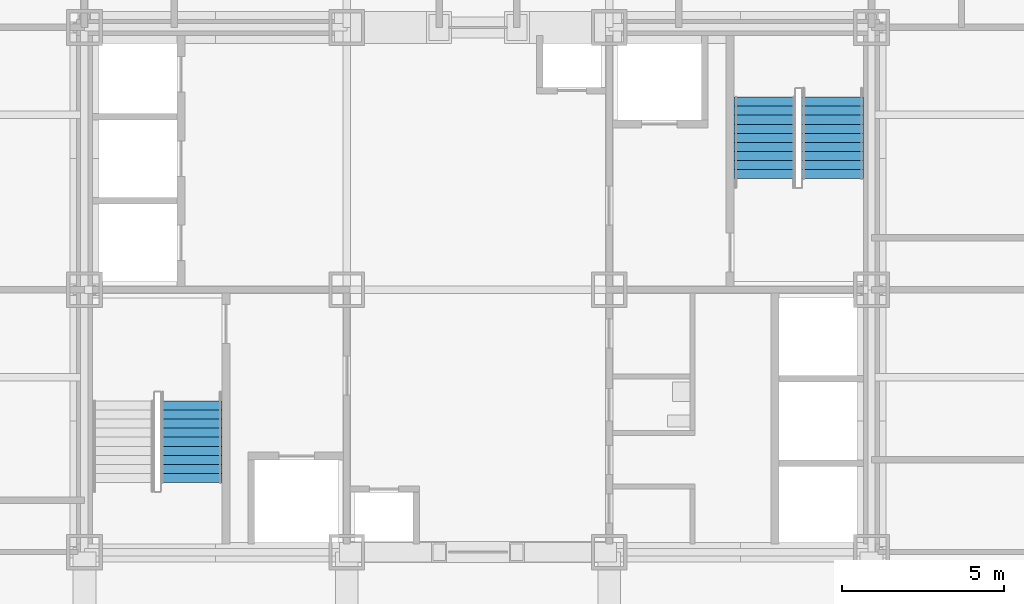
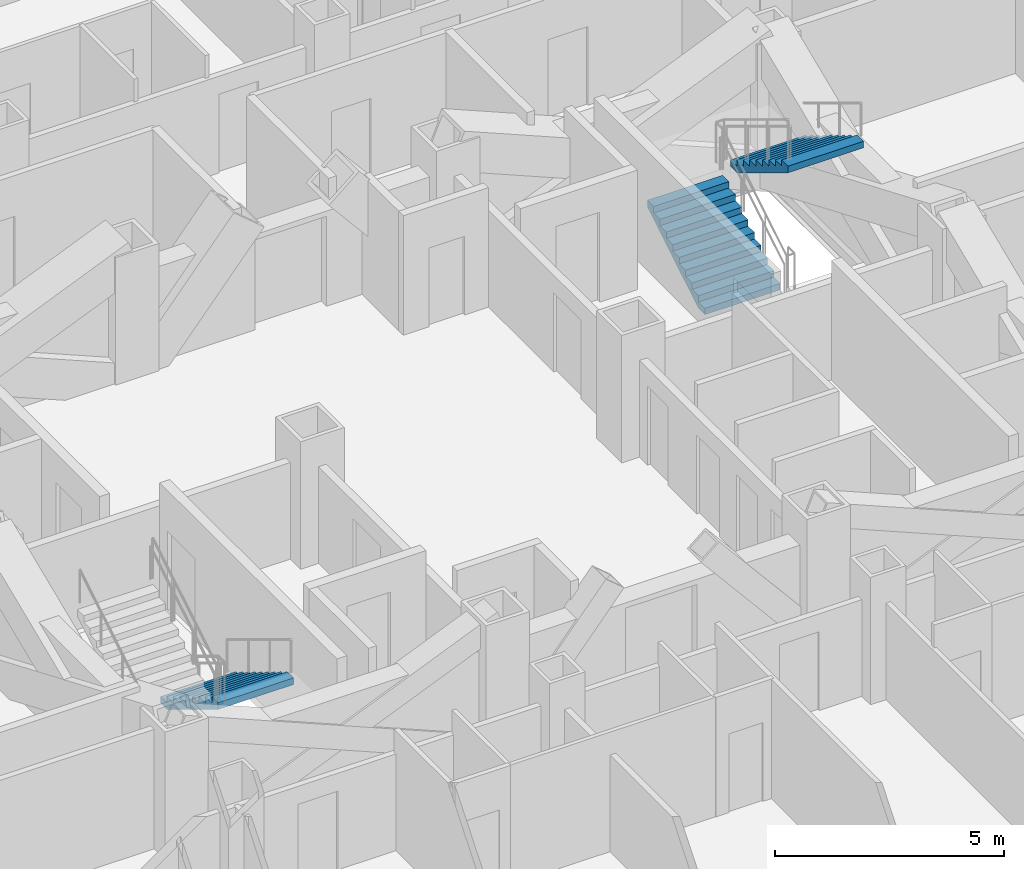
# One storey, part 12 of 14: 3 stair flights, 2 elements without a shape of their own.
"""IFC4 building model written with IfcOpenShell, lengths in metres."""

from ifc_helpers import new_model, si_unit, direction, frame, origin, place, context, subcontext, project, spatial, polygons, source, transform, mapped, material, type_object, element, aggregate, save


model = new_model("IFC4")

# Units and contexts
model_context = context("Model", 3, precision=1e-05, world=origin(), true_north=direction((0.0, 1.0)))
body_context = subcontext(model_context, "Body", "Model", "MODEL_VIEW")
ifc_project = project(units=[si_unit("LENGTHUNIT", "METRE"), si_unit("AREAUNIT", "SQUARE_METRE"), si_unit("VOLUMEUNIT", "CUBIC_METRE"), si_unit("PLANEANGLEUNIT", "RADIAN"), si_unit("MASSUNIT", "GRAM", prefix="KILO")], contexts=[model_context])

# Site, building, storey
site_placement = place(None, origin())
site = spatial("IfcSite", under=ifc_project, at=site_placement, CompositionType="ELEMENT")
building_placement = place(site_placement, origin())
building = spatial("IfcBuilding", under=site, at=building_placement, Name="Kopane Lantern Tower", CompositionType="ELEMENT")
storey_placement = place(building_placement, frame((0.0, 0.0, 127.199951171875)))
storey = spatial("IfcBuildingStorey", under=building, at=storey_placement, Name="L32", CompositionType="ELEMENT", Elevation=127.199951171875)

# Stair, stair flight
ifc_material_1 = material(Name="Steel S355JR", Category="steel")
stair_type = type_object("IfcStairType", Name="EXIT STAIR 1900 HALF TURN", PredefinedType="HALF_TURN_STAIR", material=ifc_material_1)
stair_1_placement = place(storey_placement, origin())
stair_1 = element("IfcStair", 1, at=stair_1_placement, inside=storey, type_object=stair_type, Name="Exit stair ST1 L32", PredefinedType="HALF_TURN_STAIR")
ifc_material_2 = material(Name="Steel S355JR", Category="steel")
stair_flight_type = type_object("IfcStairFlightType", Name="STAIR FLIGHT 1900 STEEL", PredefinedType="STRAIGHT", material=ifc_material_2)
shared_shape = source(origin(), body_context, "Body", "Tessellation", [
    polygons([(2.520019531, 0.949951172, 1.530029297), (2.239990234, 0.949951172, 1.530029297), (2.239990234, -0.949951172, 1.530029297), (2.520019531, -0.949951172, 1.530029297), (0.288818359, 0.949951172, 0.0), (2.520019531, 0.949951172, 1.354736328), (2.520019531, -0.949951172, 1.354736328), (0.288818359, -0.949951172, 0.0), (0.0, 0.949951172, 0.0), (0.0, -0.949951172, 0.0), (0.280029297, 0.949951172, 0.169921875), (0.0, 0.949951172, 0.169921875), (0.0, -0.949951172, 0.169921875), (0.280029297, -0.949951172, 0.169921875), (0.280029297, 0.949951172, 0.340087891), (0.280029297, -0.949951172, 0.340087891), (0.560058594, 0.949951172, 0.340087891), (0.560058594, -0.949951172, 0.340087891), (0.560058594, 0.949951172, 0.510009766), (0.560058594, -0.949951172, 0.510009766), (0.840087891, 0.949951172, 0.510009766), (0.840087891, -0.949951172, 0.510009766), (0.840087891, 0.949951172, 0.679931641), (0.840087891, -0.949951172, 0.679931641), (1.120117188, 0.949951172, 0.679931641), (1.120117188, -0.949951172, 0.679931641), (1.120117188, 0.949951172, 0.850097656), (1.120117188, -0.949951172, 0.850097656), (1.399902344, 0.949951172, 0.850097656), (1.399902344, -0.949951172, 0.850097656), (1.399902344, 0.949951172, 1.020019531), (1.399902344, -0.949951172, 1.020019531), (1.679931641, 0.949951172, 1.020019531), (1.679931641, -0.949951172, 1.020019531), (1.679931641, 0.949951172, 1.189941406), (1.679931641, -0.949951172, 1.189941406), (1.959960938, 0.949951172, 1.189941406), (1.959960938, -0.949951172, 1.189941406), (1.959960938, 0.949951172, 1.360107422), (1.959960938, -0.949951172, 1.360107422), (2.239990234, 0.949951172, 1.360107422), (2.239990234, -0.949951172, 1.360107422), (0.0, 0.0, 0.004592483), (0.0, 0.0, 0.009184966), (0.0, 0.0, 0.013777449), (0.0, 0.0, 0.018369932), (0.0, 0.0, 0.022962416), (0.0, 0.0, 0.027554899), (0.0, 0.0, 0.032147382), (0.0, 0.0, 0.036739865), (0.0, 0.0, 0.041332348), (0.0, 0.0, 0.045924831), (0.0, 0.0, 0.050517314), (0.0, 0.0, 0.055109797), (0.0, 0.0, 0.05970228), (0.0, 0.0, 0.064294764), (0.0, 0.0, 0.068887247), (0.0, 0.0, 0.07347973), (0.0, 0.0, 0.078072213), (0.0, 0.0, 0.082664696), (0.0, 0.0, 0.087257179), (0.0, 0.0, 0.091849662), (0.0, 0.0, 0.096442145), (0.0, 0.0, 0.101034628), (0.0, 0.0, 0.105627111), (0.0, 0.0, 0.110219595), (0.0, 0.0, 0.114812078), (0.0, 0.0, 0.119404561), (0.0, 0.0, 0.123997044), (0.0, 0.0, 0.128589527), (0.0, 0.0, 0.13318201), (0.0, 0.0, 0.137774493), (0.0, 0.0, 0.142366976), (0.0, 0.0, 0.146959459), (0.0, 0.0, 0.151551943), (0.0, 0.0, 0.156144426), (0.0, 0.0, 0.160736909), (0.0, 0.0, 0.165329392), (2.520019531, 0.0, 1.359473976), (2.520019531, 0.0, 1.364211624), (2.520019531, 0.0, 1.368949272), (2.520019531, 0.0, 1.373686919), (2.520019531, 0.0, 1.378424567), (2.520019531, 0.0, 1.383162215), (2.520019531, 0.0, 1.387899863), (2.520019531, 0.0, 1.392637511), (2.520019531, 0.0, 1.397375158), (2.520019531, 0.0, 1.402112806), (2.520019531, 0.0, 1.406850454), (2.520019531, 0.0, 1.411588102), (2.520019531, 0.0, 1.41632575), (2.520019531, 0.0, 1.421063397), (2.520019531, 0.0, 1.425801045), (2.520019531, 0.0, 1.430538693), (2.520019531, 0.0, 1.435276341), (2.520019531, 0.0, 1.440013989), (2.520019531, 0.0, 1.444751636), (2.520019531, 0.0, 1.449489284), (2.520019531, 0.0, 1.454226932), (2.520019531, 0.0, 1.45896458), (2.520019531, 0.0, 1.463702228), (2.520019531, 0.0, 1.468439875), (2.520019531, 0.0, 1.473177523), (2.520019531, 0.0, 1.477915171), (2.520019531, 0.0, 1.482652819), (2.520019531, 0.0, 1.487390467), (2.520019531, 0.0, 1.492128114), (2.520019531, 0.0, 1.496865762), (2.520019531, 0.0, 1.50160341), (2.520019531, 0.0, 1.506341058), (2.520019531, 0.0, 1.511078706), (2.520019531, 0.0, 1.515816353), (2.520019531, 0.0, 1.520554001), (2.520019531, 0.0, 1.525291649)], [[[1, 2, 3]], [[1, 3, 4]], [[5, 6, 7]], [[5, 7, 8]], [[9, 5, 8]], [[9, 8, 10]], [[11, 12, 13]], [[11, 13, 14]], [[15, 11, 14]], [[15, 14, 16]], [[17, 15, 16]], [[17, 16, 18]], [[19, 17, 18]], [[19, 18, 20]], [[21, 19, 20]], [[21, 20, 22]], [[23, 21, 22]], [[23, 22, 24]], [[25, 23, 24]], [[25, 24, 26]], [[27, 25, 26]], [[27, 26, 28]], [[29, 27, 28]], [[29, 28, 30]], [[31, 29, 30]], [[31, 30, 32]], [[33, 31, 32]], [[33, 32, 34]], [[35, 33, 34]], [[35, 34, 36]], [[37, 35, 36]], [[37, 36, 38]], [[39, 37, 38]], [[39, 38, 40]], [[41, 39, 40]], [[41, 40, 42]], [[2, 41, 42]], [[2, 42, 3]], [[41, 1, 6]], [[37, 41, 6]], [[2, 1, 41]], [[33, 37, 6]], [[39, 41, 37]], [[35, 37, 33]], [[31, 33, 29]], [[5, 21, 25]], [[27, 29, 25]], [[17, 21, 5]], [[23, 25, 21]], [[11, 17, 5]], [[19, 21, 17]], [[9, 11, 5]], [[15, 17, 11]], [[12, 11, 9]], [[6, 5, 25]], [[6, 25, 29]], [[6, 29, 33]], [[7, 4, 42]], [[7, 42, 38]], [[42, 4, 3]], [[7, 38, 34]], [[38, 42, 40]], [[34, 38, 36]], [[30, 34, 32]], [[26, 22, 8]], [[26, 30, 28]], [[8, 22, 18]], [[22, 26, 24]], [[8, 18, 14]], [[18, 22, 20]], [[8, 14, 10]], [[14, 18, 16]], [[10, 14, 13]], [[26, 8, 7]], [[30, 26, 7]], [[34, 30, 7]], [[10, 43, 9]], [[10, 44, 43]], [[9, 43, 44]], [[10, 45, 44]], [[9, 44, 45]], [[10, 46, 45]], [[9, 45, 46]], [[10, 47, 46]], [[9, 46, 47]], [[10, 48, 47]], [[9, 47, 48]], [[10, 49, 48]], [[9, 48, 49]], [[10, 50, 49]], [[9, 49, 50]], [[10, 51, 50]], [[9, 50, 51]], [[10, 52, 51]], [[9, 51, 52]], [[10, 53, 52]], [[9, 52, 53]], [[10, 54, 53]], [[9, 53, 54]], [[10, 55, 54]], [[9, 54, 55]], [[10, 56, 55]], [[9, 55, 56]], [[10, 57, 56]], [[9, 56, 57]], [[10, 58, 57]], [[9, 57, 58]], [[10, 59, 58]], [[9, 58, 59]], [[10, 60, 59]], [[9, 59, 60]], [[10, 61, 60]], [[9, 60, 61]], [[10, 62, 61]], [[9, 61, 62]], [[10, 63, 62]], [[9, 62, 63]], [[10, 64, 63]], [[9, 63, 64]], [[10, 65, 64]], [[9, 64, 65]], [[10, 66, 65]], [[9, 65, 66]], [[10, 67, 66]], [[9, 66, 67]], [[10, 68, 67]], [[9, 67, 68]], [[10, 69, 68]], [[9, 68, 69]], [[10, 70, 69]], [[9, 69, 70]], [[10, 71, 70]], [[9, 70, 71]], [[10, 72, 71]], [[9, 71, 72]], [[10, 73, 72]], [[9, 72, 73]], [[10, 74, 73]], [[9, 73, 74]], [[10, 75, 74]], [[9, 74, 75]], [[10, 76, 75]], [[9, 75, 76]], [[10, 77, 76]], [[9, 76, 77]], [[10, 78, 77]], [[9, 77, 78]], [[10, 13, 78]], [[78, 13, 12]], [[9, 78, 12]], [[7, 6, 79]], [[7, 79, 80]], [[6, 80, 79]], [[7, 80, 81]], [[6, 81, 80]], [[7, 81, 82]], [[6, 82, 81]], [[7, 82, 83]], [[6, 83, 82]], [[7, 83, 84]], [[6, 84, 83]], [[7, 84, 85]], [[6, 85, 84]], [[7, 85, 86]], [[6, 86, 85]], [[7, 86, 87]], [[6, 87, 86]], [[7, 87, 88]], [[6, 88, 87]], [[7, 88, 89]], [[6, 89, 88]], [[7, 89, 90]], [[6, 90, 89]], [[7, 90, 91]], [[6, 91, 90]], [[7, 91, 92]], [[6, 92, 91]], [[7, 92, 93]], [[6, 93, 92]], [[7, 93, 94]], [[6, 94, 93]], [[7, 94, 95]], [[6, 95, 94]], [[7, 95, 96]], [[6, 96, 95]], [[7, 96, 97]], [[6, 97, 96]], [[7, 97, 98]], [[6, 98, 97]], [[7, 98, 99]], [[6, 99, 98]], [[7, 99, 100]], [[6, 100, 99]], [[7, 100, 101]], [[6, 101, 100]], [[7, 101, 102]], [[6, 102, 101]], [[7, 102, 103]], [[6, 103, 102]], [[7, 103, 104]], [[6, 104, 103]], [[7, 104, 105]], [[6, 105, 104]], [[7, 105, 106]], [[6, 106, 105]], [[7, 106, 107]], [[6, 107, 106]], [[7, 107, 108]], [[6, 108, 107]], [[7, 108, 109]], [[6, 109, 108]], [[7, 109, 110]], [[6, 110, 109]], [[7, 110, 111]], [[6, 111, 110]], [[7, 111, 112]], [[6, 112, 111]], [[7, 112, 113]], [[6, 113, 112]], [[7, 113, 114]], [[6, 114, 113]], [[7, 114, 4]], [[114, 1, 4]], [[6, 1, 114]]], closed=True),
])
stair_flight_1_placement = place(storey_placement, frame((19.5, 28.969970703125, 0.0), z_axis=(0.0, 0.0, 1.0), x_axis=(0.0, -1.0, 0.0)))
stair_flight_1 = element("IfcStairFlight", 2, at=stair_flight_1_placement, type_object=stair_flight_type, Name="ST1 flight 1", NumberOfRisers=10, NumberOfTreads=9, PredefinedType="STRAIGHT", RiserHeight=0.17, TreadLength=0.28, context=body_context, shape_type="MappedRepresentation", body=[
    mapped(shared_shape, transform((0.0, 0.0, 0.0))),
])
aggregate(stair_1, [stair_flight_1])

# Stair, stair flights
stair_2_placement = place(storey_placement, origin())
stair_2 = element("IfcStair", 3, at=stair_2_placement, inside=storey, type_object=stair_type, Name="Exit stair ST2 L32", PredefinedType="HALF_TURN_STAIR")
stair_flight_2_placement = place(storey_placement, frame((37.199951171875, 35.830078125, 0.0), z_axis=(0.0, 0.0, 1.0), x_axis=(0.0, 1.0, 0.0)))
stair_flight_2 = element("IfcStairFlight", 4, at=stair_flight_2_placement, type_object=stair_flight_type, Name="ST2 flight 1", NumberOfRisers=10, NumberOfTreads=9, PredefinedType="STRAIGHT", RiserHeight=0.17, TreadLength=0.28, context=body_context, shape_type="MappedRepresentation", body=[
    mapped(shared_shape, transform((0.0, 0.0, 0.0))),
])
stair_flight_3_placement = place(storey_placement, frame((39.300048828125, 38.35009765625, 1.699951171875), z_axis=(0.0, 0.0, 1.0), x_axis=(0.0, -1.0, 0.0)))
stair_flight_3 = element("IfcStairFlight", 5, at=stair_flight_3_placement, type_object=stair_flight_type, Name="ST2 flight 2", NumberOfRisers=10, NumberOfTreads=9, PredefinedType="STRAIGHT", RiserHeight=0.17, TreadLength=0.28, context=body_context, shape_type="MappedRepresentation", body=[
    mapped(shared_shape, transform((0.0, 0.0, 0.0))),
])
aggregate(stair_2, [stair_flight_2, stair_flight_3])

save(model, "model.ifc")
